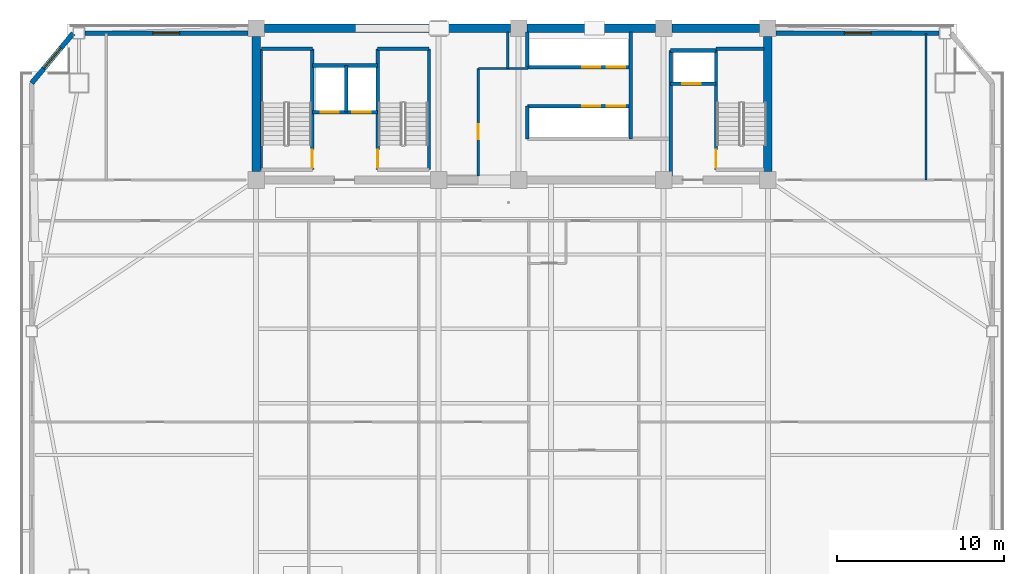
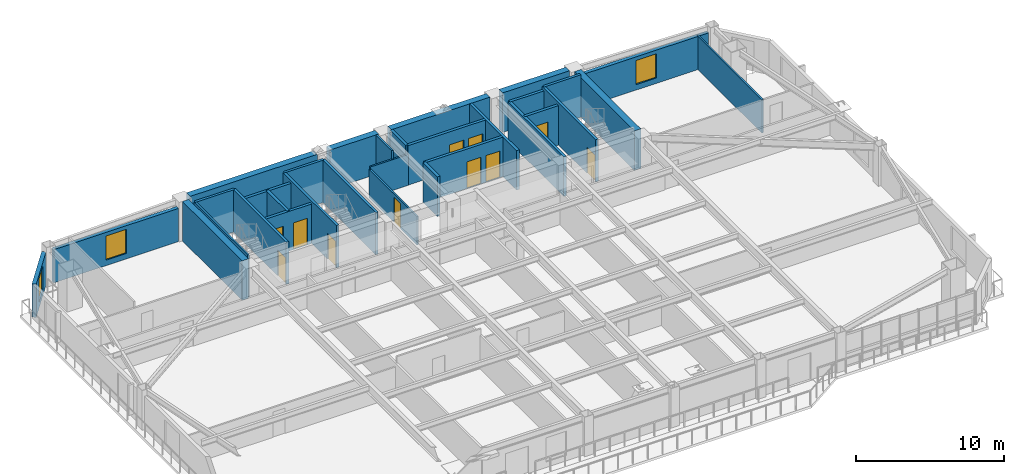
# One storey, part 10 of 17: 32 walls, 11 doors, 3 windows, 14 openings.
"""IFC4 building model written with IfcOpenShell, lengths in metres."""

from ifc_helpers import new_model, si_unit, direction, frame, frame_2d, origin, place, context, subcontext, project, spatial, rectangle, extrude, source, transform, mapped, material, layer, layer_set, type_object, element, fill, save


model = new_model("IFC4")

# Units and contexts
model_context = context("Model", 3, precision=1e-05, world=origin(), true_north=direction((0.0, 1.0)))
body_context = subcontext(model_context, "Body", "Model", "MODEL_VIEW")
ifc_project = project(units=[si_unit("LENGTHUNIT", "METRE"), si_unit("AREAUNIT", "SQUARE_METRE"), si_unit("VOLUMEUNIT", "CUBIC_METRE"), si_unit("PLANEANGLEUNIT", "RADIAN"), si_unit("MASSUNIT", "GRAM", prefix="KILO")], contexts=[model_context])

# Site, building, storey
site_placement = place(None, origin())
site = spatial("IfcSite", under=ifc_project, at=site_placement, CompositionType="ELEMENT")
building_placement = place(site_placement, origin())
building = spatial("IfcBuilding", under=site, at=building_placement, Name="Giltprow Tower", CompositionType="ELEMENT")
storey_placement = place(building_placement, frame((0.0, 0.0, 195.699951171875)))
storey = spatial("IfcBuildingStorey", under=building, at=storey_placement, Name="L49", CompositionType="ELEMENT", Elevation=195.699951171875)

# Wall, opening, window
ifc_material_1 = material(Name="Precast concrete C40", Category="concrete")
ifc_layer_1 = layer(ifc_material_1, 0.300048828125, Name="Precast concrete C40")
ifc_layer_set_1 = layer_set([ifc_layer_1], Name="Precast concrete C40")
wall_type_1 = type_object("IfcWallType", Name="EW-NOTCH-CHAMFER-300", PredefinedType="SOLIDWALL", material=ifc_layer_set_1)
wall_1_placement = place(storey_placement, frame((8.8740234375, 46.25, 0.0), z_axis=(0.0, 0.0, 1.0), x_axis=(-0.639807188901, -0.768535465044, 0.0)))
wall_1 = element("IfcWall", 1, at=wall_1_placement, inside=storey, type_object=wall_type_1, Name="L49 Corner Notch Wall NW", PredefinedType="SOLIDWALL", context=body_context, shape_type="SweptSolid", body=[
    extrude(rectangle(XDim=3.884033203125, YDim=0.300048828125, at=frame_2d((1.94189453125, 0.0))), origin(), (0.0, 0.0, 1.0), 2.75),
])
opening_1_placement = place(wall_1_placement, frame((1.14208984375, 0.0, 0.449951171875)))
opening_1 = element("IfcOpeningElement", 2, at=opening_1_placement, cuts=wall_1, Name="Opening WN17", PredefinedType="OPENING", context=body_context, shape_type="SweptSolid", body=[
    extrude(rectangle(XDim=1.60009765625, YDim=2.0, at=frame_2d((0.800048828125, 1.0))), frame((0.0, 0.159912109375, 0.0), z_axis=(0.0, -1.0, 0.0), x_axis=(1.0, 0.0, 0.0)), (0.0, 0.0, 1.0), 0.320068359375),
])
ifc_material_2 = material(Name="Insulated glass", Category="glass")
window_type = type_object("IfcWindowType", Name="WN-COR-1600x2000", PartitioningType="SINGLE_PANEL", PredefinedType="WINDOW", material=ifc_material_2)
shared_shape_1 = source(origin(), body_context, "Body", "SweptSolid", [
    extrude(rectangle(XDim=1.60009765625, YDim=2.0, at=frame_2d((0.800048828125, 1.0))), frame((0.0, 0.030029296875, 0.0), z_axis=(0.0, -1.0, 0.0), x_axis=(1.0, 0.0, 0.0)), (0.0, 0.0, 1.0), 0.06005859375),
])
window_1_placement = place(opening_1_placement, origin())
window_1 = element("IfcWindow", 3, at=window_1_placement, inside=storey, type_object=window_type, Name="L49 Corner Notch Window NW", OverallHeight=2.0, OverallWidth=1.60009765625, PartitioningType="SINGLE_PANEL", PredefinedType="WINDOW", context=body_context, shape_type="MappedRepresentation", body=[
    mapped(shared_shape_1, transform((0.0, 0.0, 0.0), x_axis=(1.0, 0.0, 0.0), y_axis=(0.0, 1.0, 0.0), z_axis=(0.0, 0.0, 1.0), scale=1.0)),
])
fill(opening_1, window_1)

ifc_layer_2 = layer(ifc_material_1, 0.280029296875, Name="Precast concrete C40")
ifc_layer_set_2 = layer_set([ifc_layer_2], Name="Precast concrete C40")
wall_type_2 = type_object("IfcWallType", Name="EW-TOW-BRONZE-280", PredefinedType="SOLIDWALL", material=ifc_layer_set_2)
wall_2_placement = place(storey_placement, frame((9.573974609375, 46.25, 0.0), z_axis=(0.0, 0.0, 1.0), x_axis=(1.0, 0.0, 0.0)))
wall_2 = element("IfcWall", 4, at=wall_2_placement, inside=storey, type_object=wall_type_2, Name="L49 North-West Wing Wall", PredefinedType="SOLIDWALL", context=body_context, shape_type="SweptSolid", body=[
    extrude(rectangle(XDim=9.776123046875, YDim=0.280029296875, at=frame_2d((4.88818359375, 0.0))), origin(), (0.0, 0.0, 1.0), 2.75),
])
opening_2_placement = place(wall_2_placement, frame((4.087890625, 0.0, 0.449951171875)))
opening_2 = element("IfcOpeningElement", 5, at=opening_2_placement, cuts=wall_2, Name="Opening WN17", PredefinedType="OPENING", context=body_context, shape_type="SweptSolid", body=[
    extrude(rectangle(XDim=1.60009765625, YDim=2.0, at=frame_2d((0.800048828125, 1.0))), frame((0.0, 0.14990234375, 0.0), z_axis=(0.0, -1.0, 0.0), x_axis=(1.0, 0.0, 0.0)), (0.0, 0.0, 1.0), 0.300048828125),
])
window_2_placement = place(opening_2_placement, origin())
window_2 = element("IfcWindow", 6, at=window_2_placement, inside=storey, type_object=window_type, Name="L49 North-West Window", OverallHeight=2.0, OverallWidth=1.60009765625, PartitioningType="SINGLE_PANEL", PredefinedType="WINDOW", context=body_context, shape_type="MappedRepresentation", body=[
    mapped(shared_shape_1, transform((0.0, 0.0, 0.0), x_axis=(1.0, 0.0, 0.0), y_axis=(0.0, 1.0, 0.0), z_axis=(0.0, 0.0, 1.0), scale=1.0)),
])
fill(opening_2, window_2)

wall_3_placement = place(storey_placement, frame((51.050048828125, 46.25, 0.0), z_axis=(0.0, 0.0, 1.0), x_axis=(1.0, 0.0, 0.0)))
wall_3 = element("IfcWall", 7, at=wall_3_placement, inside=storey, type_object=wall_type_2, Name="L49 North-East Wing Wall", PredefinedType="SOLIDWALL", context=body_context, shape_type="SweptSolid", body=[
    extrude(rectangle(XDim=9.77685546875, YDim=0.280029296875, at=frame_2d((4.888427734375, 0.0))), origin(), (0.0, 0.0, 1.0), 2.75),
])
opening_3_placement = place(wall_3_placement, frame((4.089111328125, 0.0, 0.449951171875)))
opening_3 = element("IfcOpeningElement", 8, at=opening_3_placement, cuts=wall_3, Name="Opening WN17", PredefinedType="OPENING", context=body_context, shape_type="SweptSolid", body=[
    extrude(rectangle(XDim=1.60009765625, YDim=2.0, at=frame_2d((0.800048828125, 1.0))), frame((0.0, 0.14990234375, 0.0), z_axis=(0.0, -1.0, 0.0), x_axis=(1.0, 0.0, 0.0)), (0.0, 0.0, 1.0), 0.300048828125),
])
window_3_placement = place(opening_3_placement, origin())
window_3 = element("IfcWindow", 9, at=window_3_placement, inside=storey, type_object=window_type, Name="L49 North-East Window", OverallHeight=2.0, OverallWidth=1.60009765625, PartitioningType="SINGLE_PANEL", PredefinedType="WINDOW", context=body_context, shape_type="MappedRepresentation", body=[
    mapped(shared_shape_1, transform((0.0, 0.0, 0.0), x_axis=(1.0, 0.0, 0.0), y_axis=(0.0, 1.0, 0.0), z_axis=(0.0, 0.0, 1.0), scale=1.0)),
])
fill(opening_3, window_3)

# Wall, openings, doors
ifc_material_3 = material(Name="Concrete C40", Category="concrete")
ifc_layer_3 = layer(ifc_material_3, 0.219970703125, Name="Concrete C40")
ifc_layer_set_3 = layer_set([ifc_layer_3], Name="Concrete C40")
wall_type_3 = type_object("IfcWallType", Name="IW-SHAFT-220", PredefinedType="SOLIDWALL", material=ifc_layer_set_3)
wall_4_placement = place(storey_placement, frame((23.219970703125, 41.52001953125, 0.0), z_axis=(0.0, 0.0, 1.0), x_axis=(1.0, 0.0, 0.0)))
wall_4 = element("IfcWall", 10, at=wall_4_placement, inside=storey, type_object=wall_type_3, Name="L49 FFL1 and Service Lift Front Wall", PredefinedType="SOLIDWALL", context=body_context, shape_type="SweptSolid", body=[
    extrude(rectangle(XDim=3.919921875, YDim=0.219970703125, at=frame_2d((1.9599609375, 0.0))), origin(), (0.0, 0.0, 1.0), 3.27001953125),
])
opening_4_placement = place(wall_4_placement, frame((0.5, 0.0, 0.0)))
opening_4 = element("IfcOpeningElement", 11, at=opening_4_placement, cuts=wall_4, Name="Opening LD-11", PredefinedType="OPENING", context=body_context, shape_type="SweptSolid", body=[
    extrude(rectangle(XDim=1.10009765625, YDim=2.199951171875, at=frame_2d((0.550048828125, 1.10009765625))), frame((0.0, 0.119873046875, 0.0), z_axis=(0.0, -1.0, 0.0), x_axis=(1.0, 0.0, 0.0)), (0.0, 0.0, 1.0), 0.239990234375),
])
opening_5_placement = place(wall_4_placement, frame((2.39990234375, 0.0, 0.0)))
opening_5 = element("IfcOpeningElement", 12, at=opening_5_placement, cuts=wall_4, Name="Opening LD-11", PredefinedType="OPENING", context=body_context, shape_type="SweptSolid", body=[
    extrude(rectangle(XDim=1.10009765625, YDim=2.199951171875, at=frame_2d((0.550048828125, 1.10009765625))), frame((0.0, 0.119873046875, 0.0), z_axis=(0.0, -1.0, 0.0), x_axis=(1.0, 0.0, 0.0)), (0.0, 0.0, 1.0), 0.239990234375),
])
ifc_material_4 = material(Name="Stainless steel", Category="steel")
door_type_1 = type_object("IfcDoorType", Name="DR-LIFT-LD1100", OperationType="SLIDING_TO_LEFT", PredefinedType="DOOR", material=ifc_material_4)
shared_shape_2 = source(origin(), body_context, "Body", "SweptSolid", [
    extrude(rectangle(XDim=1.10009765625, YDim=2.199951171875, at=frame_2d((0.550048828125, 1.10009765625))), frame((0.0, 0.02490234375, 0.0), z_axis=(0.0, -1.0, 0.0), x_axis=(1.0, 0.0, 0.0)), (0.0, 0.0, 1.0), 0.050048828125),
])
door_1_placement = place(opening_4_placement, origin())
door_1 = element("IfcDoor", 13, at=door_1_placement, inside=storey, type_object=door_type_1, Name="L49 FFL1 Landing Door", OperationType="SLIDING_TO_LEFT", OverallHeight=2.199951171875, OverallWidth=1.10009765625, PredefinedType="DOOR", context=body_context, shape_type="MappedRepresentation", body=[
    mapped(shared_shape_2, transform((0.0, 0.0, 0.0), x_axis=(1.0, 0.0, 0.0), y_axis=(0.0, 1.0, 0.0), z_axis=(0.0, 0.0, 1.0), scale=1.0)),
])
fill(opening_4, door_1)
door_2_placement = place(opening_5_placement, origin())
door_2 = element("IfcDoor", 14, at=door_2_placement, inside=storey, type_object=door_type_1, Name="L49 SVL1 Landing Door", OperationType="SLIDING_TO_LEFT", OverallHeight=2.199951171875, OverallWidth=1.10009765625, PredefinedType="DOOR", context=body_context, shape_type="MappedRepresentation", body=[
    mapped(shared_shape_2, transform((0.0, 0.0, 0.0), x_axis=(1.0, 0.0, 0.0), y_axis=(0.0, 1.0, 0.0), z_axis=(0.0, 0.0, 1.0), scale=1.0)),
])
fill(opening_5, door_2)

# Walls
wall_5_placement = place(storey_placement, frame((25.260009765625, 41.52001953125, 0.0), z_axis=(0.0, 0.0, 1.0), x_axis=(0.0, 1.0, 0.0)))
element("IfcWall", 15, at=wall_5_placement, inside=storey, type_object=wall_type_3, Name="L49 FFL1-SVL1 Shaft Divider", PredefinedType="SOLIDWALL", context=body_context, shape_type="SweptSolid", body=[
    extrude(rectangle(XDim=2.800048828125, YDim=0.219970703125, at=frame_2d((1.39990234375, 0.0))), origin(), (0.0, 0.0, 1.0), 3.27001953125),
])
wall_6_placement = place(storey_placement, frame((23.219970703125, 44.320068359375, 0.0), z_axis=(0.0, 0.0, 1.0), x_axis=(1.0, 0.0, 0.0)))
element("IfcWall", 16, at=wall_6_placement, inside=storey, type_object=wall_type_3, Name="L49 FFL1-SVL1 Back Shaft Wall", PredefinedType="SOLIDWALL", context=body_context, shape_type="SweptSolid", body=[
    extrude(rectangle(XDim=3.919921875, YDim=0.219970703125, at=frame_2d((1.9599609375, 0.0))), origin(), (0.0, 0.0, 1.0), 3.27001953125),
])

# Wall, opening, door
wall_7_placement = place(storey_placement, frame((44.719970703125, 43.219970703125, 0.0), z_axis=(0.0, 0.0, 1.0), x_axis=(1.0, 0.0, 0.0)))
wall_7 = element("IfcWall", 17, at=wall_7_placement, inside=storey, type_object=wall_type_3, Name="L49 FFL2 Front Shaft Wall", PredefinedType="SOLIDWALL", context=body_context, shape_type="SweptSolid", body=[
    extrude(rectangle(XDim=2.719970703125, YDim=0.219970703125, at=frame_2d((1.35986328125, 0.0))), origin(), (0.0, 0.0, 1.0), 3.27001953125),
])
opening_6_placement = place(wall_7_placement, frame((0.699951171875, 0.0, 0.0)))
opening_6 = element("IfcOpeningElement", 18, at=opening_6_placement, cuts=wall_7, Name="Opening LD-11", PredefinedType="OPENING", context=body_context, shape_type="SweptSolid", body=[
    extrude(rectangle(XDim=1.10009765625, YDim=2.199951171875, at=frame_2d((0.550048828125, 1.10009765625))), frame((0.0, 0.119873046875, 0.0), z_axis=(0.0, -1.0, 0.0), x_axis=(1.0, 0.0, 0.0)), (0.0, 0.0, 1.0), 0.239990234375),
])
door_3_placement = place(opening_6_placement, origin())
door_3 = element("IfcDoor", 19, at=door_3_placement, inside=storey, type_object=door_type_1, Name="L49 FFL2 Landing Door", OperationType="SLIDING_TO_LEFT", OverallHeight=2.199951171875, OverallWidth=1.10009765625, PredefinedType="DOOR", context=body_context, shape_type="MappedRepresentation", body=[
    mapped(shared_shape_2, transform((0.0, 0.0, 0.0), x_axis=(1.0, 0.0, 0.0), y_axis=(0.0, 1.0, 0.0), z_axis=(0.0, 0.0, 1.0), scale=1.0)),
])
fill(opening_6, door_3)

# Walls
wall_8_placement = place(storey_placement, frame((44.719970703125, 45.219970703125, 0.0), z_axis=(0.0, 0.0, 1.0), x_axis=(1.0, 0.0, 0.0)))
element("IfcWall", 20, at=wall_8_placement, inside=storey, type_object=wall_type_3, Name="L49 FFL2 Back Shaft Wall", PredefinedType="SOLIDWALL", context=body_context, shape_type="SweptSolid", body=[
    extrude(rectangle(XDim=2.719970703125, YDim=0.219970703125, at=frame_2d((1.35986328125, 0.0))), origin(), (0.0, 0.0, 1.0), 3.27001953125),
])
wall_9_placement = place(storey_placement, frame((44.719970703125, 37.679931640625, 0.0), z_axis=(0.0, 0.0, 1.0), x_axis=(0.0, 1.0, 0.0)))
element("IfcWall", 21, at=wall_9_placement, inside=storey, type_object=wall_type_3, Name="L49 East Firefighting Lobby West Wall", PredefinedType="SOLIDWALL", context=body_context, shape_type="SweptSolid", body=[
    extrude(rectangle(XDim=7.5400390625, YDim=0.219970703125, at=frame_2d((3.77001953125, 0.0))), origin(), (0.0, 0.0, 1.0), 3.27001953125),
])

# Wall, openings, doors
wall_10_placement = place(storey_placement, frame((36.1201171875, 44.219970703125, 0.0), z_axis=(0.0, 0.0, 1.0), x_axis=(1.0, 0.0, 0.0)))
wall_10 = element("IfcWall", 22, at=wall_10_placement, inside=storey, type_object=wall_type_3, Name="L49 Mid-Rise Lift Shaft Front Wall N", PredefinedType="SOLIDWALL", context=body_context, shape_type="SweptSolid", body=[
    extrude(rectangle(XDim=6.199951171875, YDim=0.219970703125, at=frame_2d((3.10009765625, 0.0))), origin(), (0.0, 0.0, 1.0), 3.27001953125),
])
opening_7_placement = place(wall_10_placement, frame((3.280029296875, 0.0, 0.0)))
opening_7 = element("IfcOpeningElement", 23, at=opening_7_placement, cuts=wall_10, Name="Opening LD-11", PredefinedType="OPENING", context=body_context, shape_type="SweptSolid", body=[
    extrude(rectangle(XDim=1.10009765625, YDim=2.199951171875, at=frame_2d((0.550048828125, 1.10009765625))), frame((0.0, 0.119873046875, 0.0), z_axis=(0.0, -1.0, 0.0), x_axis=(1.0, 0.0, 0.0)), (0.0, 0.0, 1.0), 0.239990234375),
])
opening_8_placement = place(wall_10_placement, frame((4.77001953125, 0.0, 0.0)))
opening_8 = element("IfcOpeningElement", 24, at=opening_8_placement, cuts=wall_10, Name="Opening LD-11", PredefinedType="OPENING", context=body_context, shape_type="SweptSolid", body=[
    extrude(rectangle(XDim=1.10009765625, YDim=2.199951171875, at=frame_2d((0.550048828125, 1.10009765625))), frame((0.0, 0.119873046875, 0.0), z_axis=(0.0, -1.0, 0.0), x_axis=(1.0, 0.0, 0.0)), (0.0, 0.0, 1.0), 0.239990234375),
])
door_4_placement = place(opening_7_placement, origin())
door_4 = element("IfcDoor", 25, at=door_4_placement, inside=storey, type_object=door_type_1, Name="L49 PL-M1 Landing Door", OperationType="SLIDING_TO_LEFT", OverallHeight=2.199951171875, OverallWidth=1.10009765625, PredefinedType="DOOR", context=body_context, shape_type="MappedRepresentation", body=[
    mapped(shared_shape_2, transform((0.0, 0.0, 0.0), x_axis=(1.0, 0.0, 0.0), y_axis=(0.0, 1.0, 0.0), z_axis=(0.0, 0.0, 1.0), scale=1.0)),
])
fill(opening_7, door_4)
door_5_placement = place(opening_8_placement, origin())
door_5 = element("IfcDoor", 26, at=door_5_placement, inside=storey, type_object=door_type_1, Name="L49 PL-M2 Landing Door", OperationType="SLIDING_TO_LEFT", OverallHeight=2.199951171875, OverallWidth=1.10009765625, PredefinedType="DOOR", context=body_context, shape_type="MappedRepresentation", body=[
    mapped(shared_shape_2, transform((0.0, 0.0, 0.0), x_axis=(1.0, 0.0, 0.0), y_axis=(0.0, 1.0, 0.0), z_axis=(0.0, 0.0, 1.0), scale=1.0)),
])
fill(opening_8, door_5)

wall_11_placement = place(storey_placement, frame((36.1201171875, 41.8798828125, 0.0), z_axis=(0.0, 0.0, 1.0), x_axis=(1.0, 0.0, 0.0)))
wall_11 = element("IfcWall", 27, at=wall_11_placement, inside=storey, type_object=wall_type_3, Name="L49 Mid-Rise Lift Shaft Front Wall S", PredefinedType="SOLIDWALL", context=body_context, shape_type="SweptSolid", body=[
    extrude(rectangle(XDim=6.199951171875, YDim=0.219970703125, at=frame_2d((3.10009765625, 0.0))), origin(), (0.0, 0.0, 1.0), 3.27001953125),
])
opening_9_placement = place(wall_11_placement, frame((3.280029296875, 0.0, 0.0)))
opening_9 = element("IfcOpeningElement", 28, at=opening_9_placement, cuts=wall_11, Name="Opening LD-11", PredefinedType="OPENING", context=body_context, shape_type="SweptSolid", body=[
    extrude(rectangle(XDim=1.10009765625, YDim=2.199951171875, at=frame_2d((0.550048828125, 1.10009765625))), frame((0.0, 0.119873046875, 0.0), z_axis=(0.0, -1.0, 0.0), x_axis=(1.0, 0.0, 0.0)), (0.0, 0.0, 1.0), 0.239990234375),
])
opening_10_placement = place(wall_11_placement, frame((4.77001953125, 0.0, 0.0)))
opening_10 = element("IfcOpeningElement", 29, at=opening_10_placement, cuts=wall_11, Name="Opening LD-11", PredefinedType="OPENING", context=body_context, shape_type="SweptSolid", body=[
    extrude(rectangle(XDim=1.10009765625, YDim=2.199951171875, at=frame_2d((0.550048828125, 1.10009765625))), frame((0.0, 0.119873046875, 0.0), z_axis=(0.0, -1.0, 0.0), x_axis=(1.0, 0.0, 0.0)), (0.0, 0.0, 1.0), 0.239990234375),
])
door_6_placement = place(opening_9_placement, origin())
door_6 = element("IfcDoor", 30, at=door_6_placement, inside=storey, type_object=door_type_1, Name="L49 PL-M3 Landing Door", OperationType="SLIDING_TO_LEFT", OverallHeight=2.199951171875, OverallWidth=1.10009765625, PredefinedType="DOOR", context=body_context, shape_type="MappedRepresentation", body=[
    mapped(shared_shape_2, transform((0.0, 0.0, 0.0), x_axis=(1.0, 0.0, 0.0), y_axis=(0.0, 1.0, 0.0), z_axis=(0.0, 0.0, 1.0), scale=1.0)),
])
fill(opening_9, door_6)
door_7_placement = place(opening_10_placement, origin())
door_7 = element("IfcDoor", 31, at=door_7_placement, inside=storey, type_object=door_type_1, Name="L49 PL-M4 Landing Door", OperationType="SLIDING_TO_LEFT", OverallHeight=2.199951171875, OverallWidth=1.10009765625, PredefinedType="DOOR", context=body_context, shape_type="MappedRepresentation", body=[
    mapped(shared_shape_2, transform((0.0, 0.0, 0.0), x_axis=(1.0, 0.0, 0.0), y_axis=(0.0, 1.0, 0.0), z_axis=(0.0, 0.0, 1.0), scale=1.0)),
])
fill(opening_10, door_7)

# Walls
wall_12_placement = place(storey_placement, frame((42.320068359375, 39.919921875, 0.0), z_axis=(0.0, 0.0, 1.0), x_axis=(0.0, 1.0, 0.0)))
element("IfcWall", 32, at=wall_12_placement, inside=storey, type_object=wall_type_3, Name="L49 Mid-Rise Lift Bank East Closure", PredefinedType="SOLIDWALL", context=body_context, shape_type="SweptSolid", body=[
    extrude(rectangle(XDim=6.400146484375, YDim=0.219970703125, at=frame_2d((3.2001953125, 0.0))), origin(), (0.0, 0.0, 1.0), 3.27001953125),
])
wall_13_placement = place(storey_placement, frame((36.1201171875, 39.919921875, 0.0), z_axis=(0.0, 0.0, 1.0), x_axis=(0.0, 1.0, 0.0)))
element("IfcWall", 33, at=wall_13_placement, inside=storey, type_object=wall_type_3, Name="L49 Mid-Rise South Lift West Closure", PredefinedType="SOLIDWALL", context=body_context, shape_type="SweptSolid", body=[
    extrude(rectangle(XDim=1.9599609375, YDim=0.219970703125, at=frame_2d((0.97998046875, 0.0))), origin(), (0.0, 0.0, 1.0), 3.27001953125),
])
wall_14_placement = place(storey_placement, frame((36.1201171875, 44.219970703125, 0.0), z_axis=(0.0, 0.0, 1.0), x_axis=(0.0, 1.0, 0.0)))
element("IfcWall", 34, at=wall_14_placement, inside=storey, type_object=wall_type_3, Name="L49 Mid-Rise North Lift West Closure", PredefinedType="SOLIDWALL", context=body_context, shape_type="SweptSolid", body=[
    extrude(rectangle(XDim=2.10009765625, YDim=0.219970703125, at=frame_2d((1.050048828125, 0.0))), origin(), (0.0, 0.0, 1.0), 3.27001953125),
])
ifc_material_5 = material(Name="Concrete C45", Category="concrete")
ifc_layer_4 = layer(ifc_material_5, 0.139892578125, Name="Concrete C45")
ifc_layer_set_4 = layer_set([ifc_layer_4], Name="Concrete C45")
wall_type_4 = type_object("IfcWallType", Name="IW-STAIR-140", PredefinedType="SOLIDWALL", material=ifc_layer_set_4)
wall_15_placement = place(storey_placement, frame((20.169921875, 38.070068359375, 0.0), z_axis=(0.0, 0.0, 1.0), x_axis=(0.0, 1.0, 0.0)))
element("IfcWall", 35, at=wall_15_placement, inside=storey, type_object=wall_type_4, Name="L49 Stair ST-1 West Bearing Wall", PredefinedType="SOLIDWALL", context=body_context, shape_type="SweptSolid", body=[
    extrude(rectangle(XDim=7.25, YDim=0.139892578125, at=frame_2d((3.625, 0.0))), origin(), (0.0, 0.0, 1.0), 3.5),
])

# Wall, opening, door
ifc_layer_5 = layer(ifc_material_3, 0.199951171875, Name="Concrete C40")
ifc_layer_set_5 = layer_set([ifc_layer_5], Name="Concrete C40")
wall_type_5 = type_object("IfcWallType", Name="IW-STAIR-200", PredefinedType="SOLIDWALL", material=ifc_layer_set_5)
wall_16_placement = place(storey_placement, frame((23.219970703125, 38.070068359375, 0.0), z_axis=(0.0, 0.0, 1.0), x_axis=(0.0, 1.0, 0.0)))
wall_16 = element("IfcWall", 36, at=wall_16_placement, inside=storey, type_object=wall_type_5, Name="L49 Stair ST-1 East Bearing Wall", PredefinedType="SOLIDWALL", context=body_context, shape_type="SweptSolid", body=[
    extrude(rectangle(XDim=7.25, YDim=0.199951171875, at=frame_2d((3.625, 0.0))), origin(), (0.0, 0.0, 1.0), 3.5),
])
opening_11_placement = place(wall_16_placement, frame((0.110107421875, 0.0, 0.0)))
opening_11 = element("IfcOpeningElement", 37, at=opening_11_placement, cuts=wall_16, Name="Opening ID33", PredefinedType="OPENING", context=body_context, shape_type="SweptSolid", body=[
    extrude(rectangle(XDim=1.10009765625, YDim=2.14990234375, at=frame_2d((0.550048828125, 1.074951171875))), frame((0.0, 0.10986328125, 0.0), z_axis=(0.0, -1.0, 0.0), x_axis=(1.0, 0.0, 0.0)), (0.0, 0.0, 1.0), 0.219970703125),
])
ifc_material_6 = material(Name="Steel fire leaf", Category="steel")
door_type_2 = type_object("IfcDoorType", Name="DR-STAIR-1100", OperationType="SINGLE_SWING_LEFT", PredefinedType="DOOR", material=ifc_material_6)
shared_shape_3 = source(origin(), body_context, "Body", "SweptSolid", [
    extrude(rectangle(XDim=1.10009765625, YDim=2.14990234375, at=frame_2d((0.550048828125, 1.074951171875))), frame((0.0, 0.02490234375, 0.0), z_axis=(0.0, -1.0, 0.0), x_axis=(1.0, 0.0, 0.0)), (0.0, 0.0, 1.0), 0.050048828125),
])
door_8_placement = place(opening_11_placement, origin())
door_8 = element("IfcDoor", 38, at=door_8_placement, inside=storey, type_object=door_type_2, Name="L49 Stair ST-1 Fire Door", OperationType="SINGLE_SWING_LEFT", OverallHeight=2.14990234375, OverallWidth=1.10009765625, PredefinedType="DOOR", context=body_context, shape_type="MappedRepresentation", body=[
    mapped(shared_shape_3, transform((0.0, 0.0, 0.0), x_axis=(1.0, 0.0, 0.0), y_axis=(0.0, 1.0, 0.0), z_axis=(0.0, 0.0, 1.0), scale=1.0)),
])
fill(opening_11, door_8)

# Wall
wall_17_placement = place(storey_placement, frame((20.169921875, 45.320068359375, 0.0), z_axis=(0.0, 0.0, 1.0), x_axis=(1.0, 0.0, 0.0)))
element("IfcWall", 39, at=wall_17_placement, inside=storey, type_object=wall_type_5, Name="L49 Stair ST-1 North Bearing Wall", PredefinedType="SOLIDWALL", context=body_context, shape_type="SweptSolid", body=[
    extrude(rectangle(XDim=3.050048828125, YDim=0.199951171875, at=frame_2d((1.52490234375, 0.0))), origin(), (0.0, 0.0, 1.0), 3.5),
])

# Wall, opening, door
wall_18_placement = place(storey_placement, frame((27.139892578125, 38.070068359375, 0.0), z_axis=(0.0, 0.0, 1.0), x_axis=(0.0, 1.0, 0.0)))
wall_18 = element("IfcWall", 40, at=wall_18_placement, inside=storey, type_object=wall_type_5, Name="L49 Stair ST-2 West Bearing Wall", PredefinedType="SOLIDWALL", context=body_context, shape_type="SweptSolid", body=[
    extrude(rectangle(XDim=7.25, YDim=0.199951171875, at=frame_2d((3.625, 0.0))), origin(), (0.0, 0.0, 1.0), 3.5),
])
opening_12_placement = place(wall_18_placement, frame((0.110107421875, 0.0, 0.0)))
opening_12 = element("IfcOpeningElement", 41, at=opening_12_placement, cuts=wall_18, Name="Opening ID33", PredefinedType="OPENING", context=body_context, shape_type="SweptSolid", body=[
    extrude(rectangle(XDim=1.10009765625, YDim=2.14990234375, at=frame_2d((0.550048828125, 1.074951171875))), frame((0.0, 0.10986328125, 0.0), z_axis=(0.0, -1.0, 0.0), x_axis=(1.0, 0.0, 0.0)), (0.0, 0.0, 1.0), 0.219970703125),
])
door_9_placement = place(opening_12_placement, origin())
door_9 = element("IfcDoor", 42, at=door_9_placement, inside=storey, type_object=door_type_2, Name="L49 Stair ST-2 Fire Door", OperationType="SINGLE_SWING_RIGHT", OverallHeight=2.14990234375, OverallWidth=1.10009765625, PredefinedType="DOOR", context=body_context, shape_type="MappedRepresentation", body=[
    mapped(shared_shape_3, transform((0.0, 0.0, 0.0), x_axis=(1.0, 0.0, 0.0), y_axis=(0.0, 1.0, 0.0), z_axis=(0.0, 0.0, 1.0), scale=1.0)),
])
fill(opening_12, door_9)

# Walls
wall_19_placement = place(storey_placement, frame((30.219970703125, 38.070068359375, 0.0), z_axis=(0.0, 0.0, 1.0), x_axis=(0.0, 1.0, 0.0)))
element("IfcWall", 43, at=wall_19_placement, inside=storey, type_object=wall_type_5, Name="L49 Stair ST-2 East Bearing Wall", PredefinedType="SOLIDWALL", context=body_context, shape_type="SweptSolid", body=[
    extrude(rectangle(XDim=7.25, YDim=0.199951171875, at=frame_2d((3.625, 0.0))), origin(), (0.0, 0.0, 1.0), 3.5),
])
wall_20_placement = place(storey_placement, frame((27.139892578125, 45.320068359375, 0.0), z_axis=(0.0, 0.0, 1.0), x_axis=(1.0, 0.0, 0.0)))
element("IfcWall", 44, at=wall_20_placement, inside=storey, type_object=wall_type_5, Name="L49 Stair ST-2 North Bearing Wall", PredefinedType="SOLIDWALL", context=body_context, shape_type="SweptSolid", body=[
    extrude(rectangle(XDim=3.080078125, YDim=0.199951171875, at=frame_2d((1.5400390625, 0.0))), origin(), (0.0, 0.0, 1.0), 3.5),
])

# Wall, opening, door
wall_21_placement = place(storey_placement, frame((47.43994140625, 38.070068359375, 0.0), z_axis=(0.0, 0.0, 1.0), x_axis=(0.0, 1.0, 0.0)))
wall_21 = element("IfcWall", 45, at=wall_21_placement, inside=storey, type_object=wall_type_5, Name="L49 Stair ST-3 West Bearing Wall", PredefinedType="SOLIDWALL", context=body_context, shape_type="SweptSolid", body=[
    extrude(rectangle(XDim=7.25, YDim=0.199951171875, at=frame_2d((3.625, 0.0))), origin(), (0.0, 0.0, 1.0), 3.5),
])
opening_13_placement = place(wall_21_placement, frame((0.110107421875, 0.0, 0.0)))
opening_13 = element("IfcOpeningElement", 46, at=opening_13_placement, cuts=wall_21, Name="Opening ID33", PredefinedType="OPENING", context=body_context, shape_type="SweptSolid", body=[
    extrude(rectangle(XDim=1.10009765625, YDim=2.14990234375, at=frame_2d((0.550048828125, 1.074951171875))), frame((0.0, 0.10986328125, 0.0), z_axis=(0.0, -1.0, 0.0), x_axis=(1.0, 0.0, 0.0)), (0.0, 0.0, 1.0), 0.219970703125),
])
door_10_placement = place(opening_13_placement, origin())
door_10 = element("IfcDoor", 47, at=door_10_placement, inside=storey, type_object=door_type_2, Name="L49 Stair ST-3 Fire Door", OperationType="SINGLE_SWING_LEFT", OverallHeight=2.14990234375, OverallWidth=1.10009765625, PredefinedType="DOOR", context=body_context, shape_type="MappedRepresentation", body=[
    mapped(shared_shape_3, transform((0.0, 0.0, 0.0), x_axis=(1.0, 0.0, 0.0), y_axis=(0.0, 1.0, 0.0), z_axis=(0.0, 0.0, 1.0), scale=1.0)),
])
fill(opening_13, door_10)

# Wall
wall_22_placement = place(storey_placement, frame((47.43994140625, 45.320068359375, 0.0), z_axis=(0.0, 0.0, 1.0), x_axis=(1.0, 0.0, 0.0)))
element("IfcWall", 48, at=wall_22_placement, inside=storey, type_object=wall_type_5, Name="L49 Stair ST-3 North Bearing Wall", PredefinedType="SOLIDWALL", context=body_context, shape_type="SweptSolid", body=[
    extrude(rectangle(XDim=2.880126953125, YDim=0.199951171875, at=frame_2d((1.43994140625, 0.0))), origin(), (0.0, 0.0, 1.0), 3.5),
])

# Wall, opening, door
ifc_material_7 = material(Name="Concrete C30", Category="concrete")
ifc_layer_6 = layer(ifc_material_7, 0.1298828125, Name="Concrete C30")
ifc_layer_set_6 = layer_set([ifc_layer_6], Name="Concrete C30")
wall_type_6 = type_object("IfcWallType", Name="IW-WET-130", PredefinedType="PARTITIONING", material=ifc_layer_set_6)
wall_23_placement = place(storey_placement, frame((33.179931640625, 37.679931640625, 0.0), z_axis=(0.0, 0.0, 1.0), x_axis=(0.0, 1.0, 0.0)))
wall_23 = element("IfcWall", 49, at=wall_23_placement, inside=storey, type_object=wall_type_6, Name="L49 Reclaimed Core Room East Wall", PredefinedType="PARTITIONING", context=body_context, shape_type="SweptSolid", body=[
    extrude(rectangle(XDim=6.469970703125, YDim=0.1298828125, at=frame_2d((3.23486328125, 0.0))), origin(), (0.0, 0.0, 1.0), 2.35498046875),
])
opening_14_placement = place(wall_23_placement, frame((2.219970703125, 0.0, 0.0)))
opening_14 = element("IfcOpeningElement", 50, at=opening_14_placement, cuts=wall_23, Name="Opening ID35", PredefinedType="OPENING", context=body_context, shape_type="SweptSolid", body=[
    extrude(rectangle(XDim=0.89990234375, YDim=2.10009765625, at=frame_2d((0.449951171875, 1.050048828125))), frame((0.0, 0.074951171875, 0.0), z_axis=(0.0, -1.0, 0.0), x_axis=(1.0, 0.0, 0.0)), (0.0, 0.0, 1.0), 0.14990234375),
])
door_type_3 = type_object("IfcDoorType", Name="DR-SHAFT-900", OperationType="SINGLE_SWING_LEFT", PredefinedType="DOOR", material=ifc_material_6)
shared_shape_4 = source(origin(), body_context, "Body", "SweptSolid", [
    extrude(rectangle(XDim=0.89990234375, YDim=2.10009765625, at=frame_2d((0.449951171875, 1.050048828125))), frame((0.0, 0.02490234375, 0.0), z_axis=(0.0, -1.0, 0.0), x_axis=(1.0, 0.0, 0.0)), (0.0, 0.0, 1.0), 0.050048828125),
])
door_11_placement = place(opening_14_placement, origin())
door_11 = element("IfcDoor", 51, at=door_11_placement, inside=storey, type_object=door_type_3, Name="L49 Housekeeping and Linen Room Door", OperationType="SINGLE_SWING_RIGHT", OverallHeight=2.10009765625, OverallWidth=0.89990234375, PredefinedType="DOOR", context=body_context, shape_type="MappedRepresentation", body=[
    mapped(shared_shape_4, transform((0.0, 0.0, 0.0), x_axis=(1.0, 0.0, 0.0), y_axis=(0.0, 1.0, 0.0), z_axis=(0.0, 0.0, 1.0), scale=1.0)),
])
fill(opening_14, door_11)

# Walls
wall_24_placement = place(storey_placement, frame((34.949951171875, 44.14990234375, 0.0), z_axis=(0.0, 0.0, 1.0), x_axis=(0.0, 1.0, 0.0)))
element("IfcWall", 52, at=wall_24_placement, inside=storey, type_object=wall_type_6, Name="L49 Reclaimed North Pocket East Wall", PredefinedType="PARTITIONING", context=body_context, shape_type="SweptSolid", body=[
    extrude(rectangle(XDim=2.170166015625, YDim=0.1298828125, at=frame_2d((1.0849609375, 0.0))), origin(), (0.0, 0.0, 1.0), 3.27001953125),
])
wall_25_placement = place(storey_placement, frame((33.179931640625, 44.14990234375, 0.0), z_axis=(0.0, 0.0, 1.0), x_axis=(1.0, 0.0, 0.0)))
element("IfcWall", 53, at=wall_25_placement, inside=storey, type_object=wall_type_6, Name="L49 Reclaimed North Pocket South Wall", PredefinedType="PARTITIONING", context=body_context, shape_type="SweptSolid", body=[
    extrude(rectangle(XDim=2.969970703125, YDim=0.1298828125, at=frame_2d((1.48486328125, 0.0))), origin(), (0.0, 0.0, 1.0), 2.554931640625),
])
wall_26_placement = place(storey_placement, frame((60.04296875, 37.449951171875, 0.0), z_axis=(0.0, 0.0, 1.0), x_axis=(0.0, 1.0, 0.0)))
element("IfcWall", 54, at=wall_26_placement, inside=storey, type_object=wall_type_6, Name="L49 NE Wing Divider", PredefinedType="PARTITIONING", context=body_context, shape_type="SweptSolid", body=[
    extrude(rectangle(XDim=8.800048828125, YDim=0.1298828125, at=frame_2d((4.39990234375, 0.0))), origin(), (0.0, 0.0, 1.0), 2.755126953125),
])
ifc_material_8 = material(Name="Concrete C50", Category="concrete")
ifc_layer_7 = layer(ifc_material_8, 0.5, Name="Concrete C50")
ifc_layer_set_7 = layer_set([ifc_layer_7], Name="Concrete C50")
wall_type_7 = type_object("IfcWallType", Name="SW-EXT-500-C50", PredefinedType="SHEAR", material=ifc_layer_set_7)
wall_27_placement = place(storey_placement, frame((20.35009765625, 46.550048828125, 0.0), z_axis=(0.0, 0.0, 1.0), x_axis=(1.0, 0.0, 0.0)))
element("IfcWall", 55, at=wall_27_placement, inside=storey, type_object=wall_type_7, Name="L49 North Rear Core Shear Wall 1", PredefinedType="SHEAR", context=body_context, shape_type="SweptSolid", body=[
    extrude(rectangle(XDim=9.949951171875, YDim=0.5, at=frame_2d((4.97509765625, 0.0))), origin(), (0.0, 0.0, 1.0), 3.27001953125),
])
wall_28_placement = place(storey_placement, frame((31.300048828125, 46.550048828125, 0.0), z_axis=(0.0, 0.0, 1.0), x_axis=(1.0, 0.0, 0.0)))
element("IfcWall", 56, at=wall_28_placement, inside=storey, type_object=wall_type_7, Name="L49 North Rear Core Shear Wall 2", PredefinedType="SHEAR", context=body_context, shape_type="SweptSolid", body=[
    extrude(rectangle(XDim=3.800048828125, YDim=0.5, at=frame_2d((1.89990234375, 0.0))), origin(), (0.0, 0.0, 1.0), 3.27001953125),
])
wall_29_placement = place(storey_placement, frame((36.10009765625, 46.550048828125, 0.0), z_axis=(0.0, 0.0, 1.0), x_axis=(1.0, 0.0, 0.0)))
element("IfcWall", 57, at=wall_29_placement, inside=storey, type_object=wall_type_7, Name="L49 North Rear Core Shear Wall 3", PredefinedType="SHEAR", context=body_context, shape_type="SweptSolid", body=[
    extrude(rectangle(XDim=7.699951171875, YDim=0.5, at=frame_2d((3.85009765625, 0.0))), origin(), (0.0, 0.0, 1.0), 3.27001953125),
])
wall_30_placement = place(storey_placement, frame((44.800048828125, 46.550048828125, 0.0), z_axis=(0.0, 0.0, 1.0), x_axis=(1.0, 0.0, 0.0)))
element("IfcWall", 58, at=wall_30_placement, inside=storey, type_object=wall_type_7, Name="L49 North Rear Core Shear Wall 4", PredefinedType="SHEAR", context=body_context, shape_type="SweptSolid", body=[
    extrude(rectangle(XDim=5.25, YDim=0.5, at=frame_2d((2.625, 0.0))), origin(), (0.0, 0.0, 1.0), 3.27001953125),
])
ifc_layer_8 = layer(ifc_material_8, 0.5, Name="Concrete C50")
ifc_layer_set_8 = layer_set([ifc_layer_8], Name="Concrete C50")
wall_type_8 = type_object("IfcWallType", Name="SW-INT-500-C50", PredefinedType="SHEAR", material=ifc_layer_set_8)
for number, where, z_axis, x_axis, name in (
    (59, (19.85009765625, 37.949951171875, 0.0), (0.0, 0.0, 1.0), (0.0, 1.0, 0.0), "L49 W Rear Core Shear Wall"),
    (60, (50.550048828125, 37.949951171875, 0.0), (0.0, 0.0, 1.0), (0.0, 1.0, 0.0), "L49 E Rear Core Shear Wall"),
):
    element("IfcWall", number, at=place(storey_placement, frame(where, z_axis=z_axis, x_axis=x_axis)), inside=storey, type_object=wall_type_8, Name=name, PredefinedType="SHEAR", context=body_context, shape_type="SweptSolid", body=[
        extrude(rectangle(XDim=8.10009765625, YDim=0.5, at=frame_2d((4.050048828125, 0.0))), origin(), (0.0, 0.0, 1.0), 3.27001953125),
    ])

save(model, "model.ifc")
